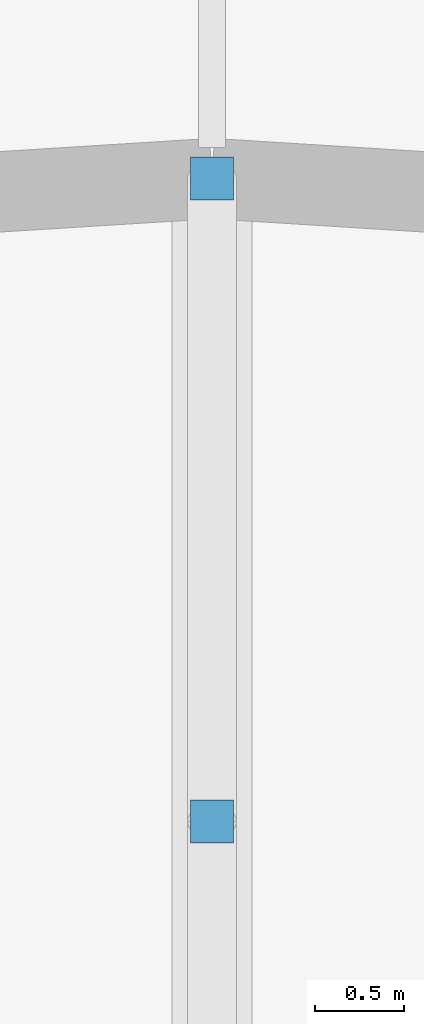
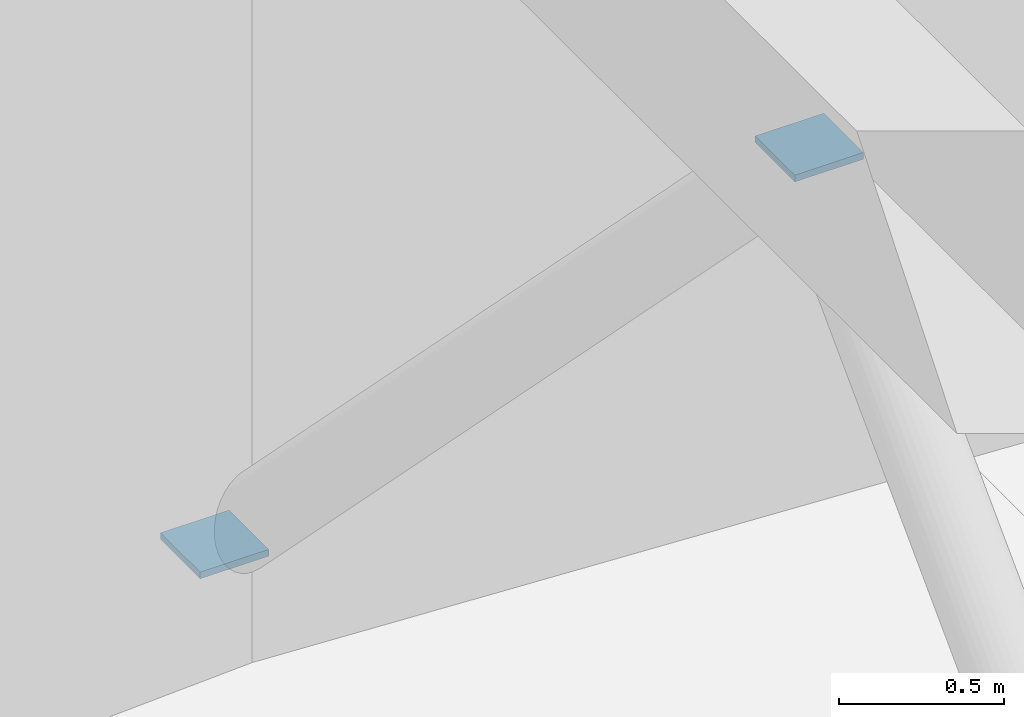
# One storey, part 32 of 42: 2 discrete accessories.
"""IFC4 building model written with IfcOpenShell, lengths in metres."""

from ifc_helpers import new_model, si_unit, direction, frame, origin, origin_2d, place, context, subcontext, project, spatial, rectangle, extrude, material, type_object, element, save


model = new_model("IFC4")

# Units and contexts
model_context = context("Model", 3, precision=1e-05, world=origin(), true_north=direction((0.0, 1.0)))
body_context = subcontext(model_context, "Body", "Model", "MODEL_VIEW")
ifc_project = project(units=[si_unit("LENGTHUNIT", "METRE"), si_unit("AREAUNIT", "SQUARE_METRE"), si_unit("VOLUMEUNIT", "CUBIC_METRE"), si_unit("PLANEANGLEUNIT", "RADIAN"), si_unit("MASSUNIT", "GRAM", prefix="KILO")], contexts=[model_context])

# Site, building, storey
site_placement = place(None, origin())
site = spatial("IfcSite", under=ifc_project, at=site_placement, CompositionType="ELEMENT")
building_placement = place(site_placement, origin())
building = spatial("IfcBuilding", under=site, at=building_placement, Name="Tarnveldt Headland Concert Hall", CompositionType="ELEMENT")
storey_placement = place(building_placement, frame((0.0, 0.0, -4.800048828125)))
storey = spatial("IfcBuildingStorey", under=building, at=storey_placement, Name="B1", CompositionType="ELEMENT", Elevation=-4.800048828125)

# Discrete accessories
ifc_material = material(Name="Steel S355", Category="steel")
discrete_accessory_type = type_object("IfcDiscreteAccessoryType", Name="DA-GUS25", PredefinedType="BRACKET", material=ifc_material)
for number, where, z_axis, x_axis, name in (
    (1, (83.5, 74.5, 0.28759765625), (0.0, 0.0, 1.0), (1.0, 0.0, 0.0), "Bolted brace gusset connection 13"),
    (2, (83.5, 70.89990234375, 3.9375), (0.0, 0.0, 1.0), (1.0, 0.0, 0.0), "Bolted brace gusset connection 14"),
):
    element("IfcDiscreteAccessory", number, at=place(storey_placement, frame(where, z_axis=z_axis, x_axis=x_axis)), inside=storey, type_object=discrete_accessory_type, Name=name, PredefinedType="BRACKET", context=body_context, shape_type="SweptSolid", body=[
        extrude(rectangle(XDim=0.239990234375, YDim=0.239990234375, at=origin_2d()), origin(), (0.0, 0.0, 1.0), 0.02490234375),
    ])

save(model, "model.ifc")
